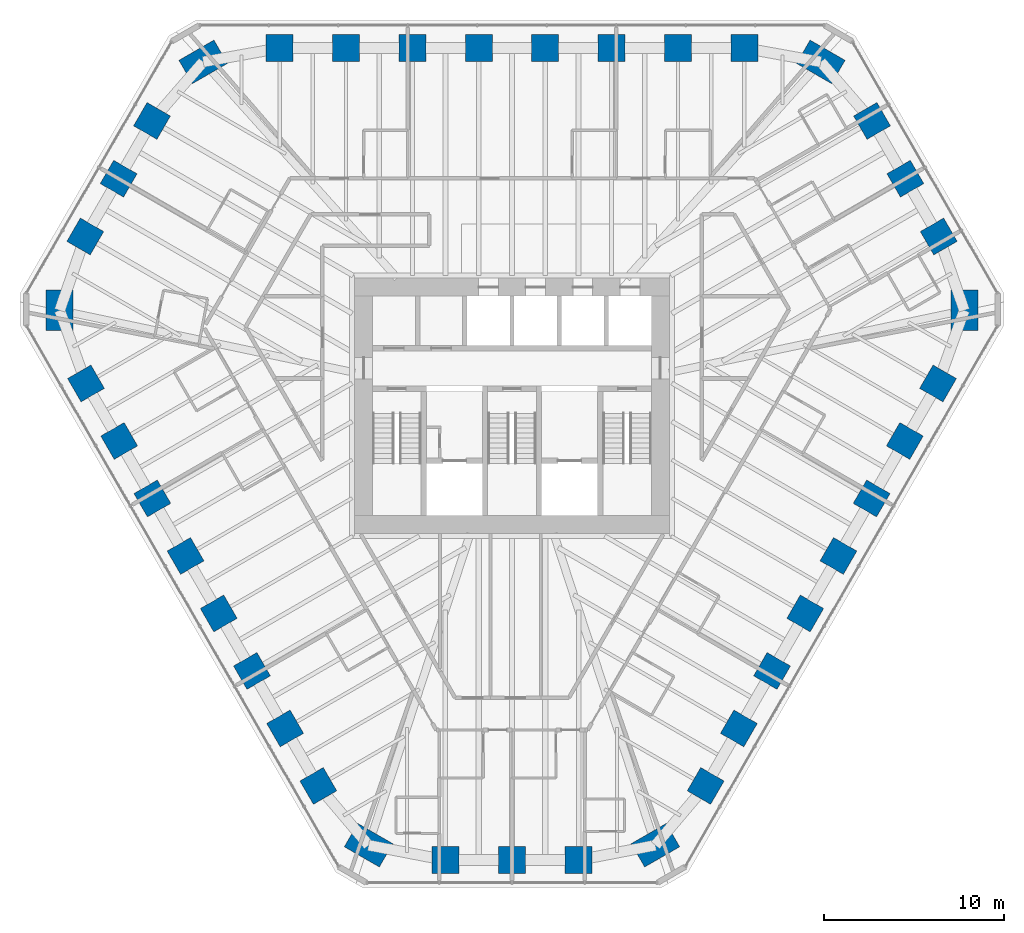
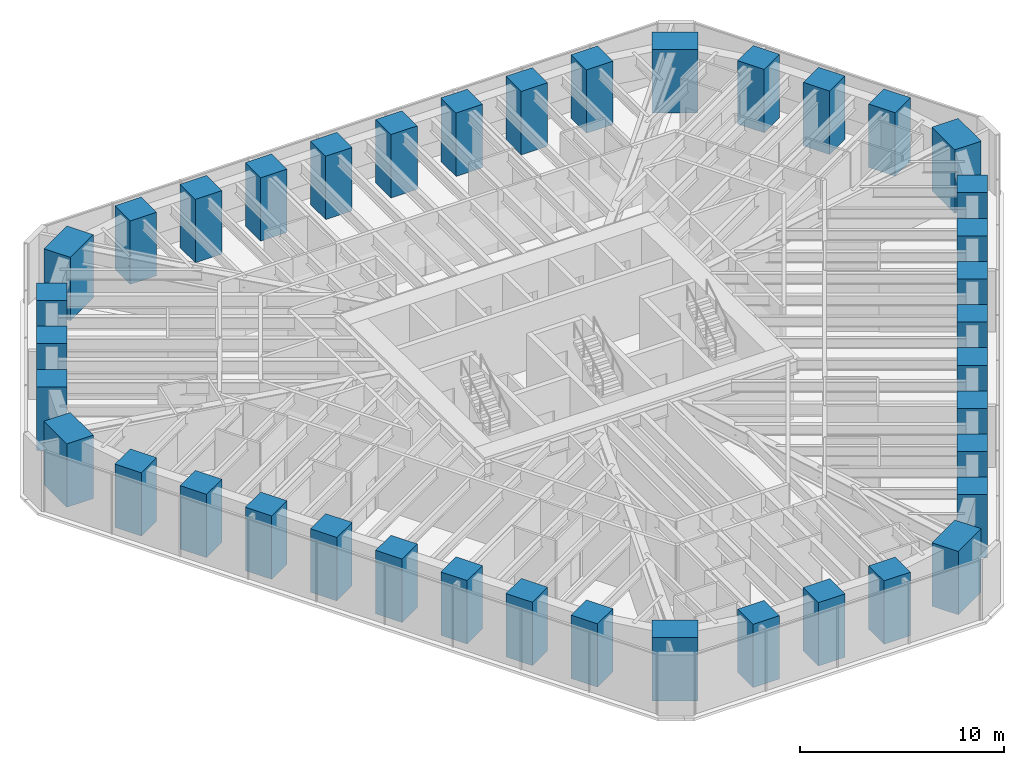
# One storey, part 1 of 17: 39 columns.
"""IFC4 building model written with IfcOpenShell, lengths in metres."""

from ifc_helpers import new_model, si_unit, direction, frame, origin, origin_2d, place, context, subcontext, project, spatial, rectangle, extrude, material, material_profile, profile_set, type_object, element, save


model = new_model("IFC4")

# Units and contexts
model_context = context("Model", 3, precision=1e-05, world=origin(), true_north=direction((0.0, 1.0)))
body_context = subcontext(model_context, "Body", "Model", "MODEL_VIEW")
ifc_project = project(units=[si_unit("LENGTHUNIT", "METRE"), si_unit("AREAUNIT", "SQUARE_METRE"), si_unit("VOLUMEUNIT", "CUBIC_METRE"), si_unit("PLANEANGLEUNIT", "RADIAN"), si_unit("MASSUNIT", "GRAM", prefix="KILO")], contexts=[model_context])

# Site, building, storey
site_placement = place(None, origin())
site = spatial("IfcSite", under=ifc_project, at=site_placement, CompositionType="ELEMENT")
building_placement = place(site_placement, origin())
building = spatial("IfcBuilding", under=site, at=building_placement, Name="Sandreach Pilgrim Tower", CompositionType="ELEMENT")
storey_placement = place(building_placement, frame((0.0, 0.0, 221.199951171875)))
storey = spatial("IfcBuildingStorey", under=building, at=storey_placement, Name="L55", CompositionType="ELEMENT", Elevation=221.199951171875)

# Columns
ifc_material_1 = material(Name="Concrete 10000 psi", Category="concrete")
ifc_material_profile_1 = material_profile(ifc_material_1, rectangle(XDim=1.5, YDim=1.5, at=origin_2d()), Name="RC1500X1500")
ifc_profile_set_1 = profile_set([ifc_material_profile_1], Name="Concrete 10000 psi")
column_type_1 = type_object("IfcColumnType", Name="Tube column RC1500X1500", PredefinedType="COLUMN", material=ifc_profile_set_1)
for number, where, z_axis, x_axis, name in (
    (1, (-12.923828125, 19.900146484375, 0.0), (0.0, 0.0, 1.0), (0.0, 1.0, 0.0), "COL L55 T01"),
    (2, (-9.231201171875, 19.900146484375, 0.0), (0.0, 0.0, 1.0), (0.0, 1.0, 0.0), "COL L55 T02"),
    (3, (-5.538818359375, 19.900146484375, 0.0), (0.0, 0.0, 1.0), (0.0, 1.0, 0.0), "COL L55 T03"),
    (4, (-1.84619140625, 19.900146484375, 0.0), (0.0, 0.0, 1.0), (0.0, 1.0, 0.0), "COL L55 T04"),
    (5, (1.84619140625, 19.900146484375, 0.0), (0.0, 0.0, 1.0), (0.0, 1.0, 0.0), "COL L55 T05"),
    (6, (5.538818359375, 19.900146484375, 0.0), (0.0, 0.0, 1.0), (0.0, 1.0, 0.0), "COL L55 T06"),
    (7, (9.231201171875, 19.900146484375, 0.0), (0.0, 0.0, 1.0), (0.0, 1.0, 0.0), "COL L55 T07"),
    (8, (12.923828125, 19.900146484375, 0.0), (0.0, 0.0, 1.0), (0.0, 1.0, 0.0), "COL L55 T08"),
    (9, (20.025146484375, 15.845947265625, 0.0), (0.0, 0.0, 1.0), (0.866025403784, 0.5, 0.0), "COL L55 T10"),
    (10, (21.88037109375, 12.632568359375, 0.0), (0.0, 0.0, 1.0), (0.866025403784, 0.5, 0.0), "COL L55 T11"),
    (11, (23.7353515625, 9.419189453125, 0.0), (0.0, 0.0, 1.0), (0.866025403784, 0.5, 0.0), "COL L55 T12"),
    (12, (23.69580078125, 1.2421875, 0.0), (0.0, 0.0, 1.0), (0.866025403784, -0.5, 0.0), "COL L55 T14"),
    (13, (21.849609375, -1.95556640625, 0.0), (0.0, 0.0, 1.0), (0.866025403784, -0.5, 0.0), "COL L55 T15"),
    (14, (20.00341796875, -5.1533203125, 0.0), (0.0, 0.0, 1.0), (0.866025403784, -0.5, 0.0), "COL L55 T16"),
    (15, (18.1572265625, -8.35107421875, 0.0), (0.0, 0.0, 1.0), (0.866025403784, -0.5, 0.0), "COL L55 T17"),
    (16, (16.310791015625, -11.548828125, 0.0), (0.0, 0.0, 1.0), (0.866025403784, -0.5, 0.0), "COL L55 T18"),
    (17, (14.464599609375, -14.746826171875, 0.0), (0.0, 0.0, 1.0), (0.866025403784, -0.5, 0.0), "COL L55 T19"),
    (18, (12.618408203125, -17.944580078125, 0.0), (0.0, 0.0, 1.0), (0.866025403784, -0.5, 0.0), "COL L55 T20"),
    (19, (10.772216796875, -21.142333984375, 0.0), (0.0, 0.0, 1.0), (0.866025403784, -0.5, 0.0), "COL L55 T21"),
    (20, (3.71044921875, -25.26513671875, 0.0), (0.0, 0.0, 1.0), (0.0, -1.0, 0.0), "COL L55 T23"),
    (21, (0.0, -25.26513671875, 0.0), (0.0, 0.0, 1.0), (0.0, -1.0, 0.0), "COL L55 T24"),
    (22, (-3.71044921875, -25.26513671875, 0.0), (0.0, 0.0, 1.0), (0.0, -1.0, 0.0), "COL L55 T25"),
    (23, (-10.772216796875, -21.142333984375, 0.0), (0.0, 0.0, 1.0), (-0.866025403784, -0.5, 0.0), "COL L55 T27"),
    (24, (-12.618408203125, -17.944580078125, 0.0), (0.0, 0.0, 1.0), (-0.866025403784, -0.5, 0.0), "COL L55 T28"),
    (25, (-14.464599609375, -14.746826171875, 0.0), (0.0, 0.0, 1.0), (-0.866025403784, -0.5, 0.0), "COL L55 T29"),
    (26, (-16.310791015625, -11.548828125, 0.0), (0.0, 0.0, 1.0), (-0.866025403784, -0.5, 0.0), "COL L55 T30"),
    (27, (-18.1572265625, -8.35107421875, 0.0), (0.0, 0.0, 1.0), (-0.866025403784, -0.5, 0.0), "COL L55 T31"),
    (28, (-20.00341796875, -5.1533203125, 0.0), (0.0, 0.0, 1.0), (-0.866025403784, -0.5, 0.0), "COL L55 T32"),
    (29, (-21.849609375, -1.95556640625, 0.0), (0.0, 0.0, 1.0), (-0.866025403784, -0.5, 0.0), "COL L55 T33"),
    (30, (-23.69580078125, 1.2421875, 0.0), (0.0, 0.0, 1.0), (-0.866025403784, -0.5, 0.0), "COL L55 T34"),
    (31, (-23.7353515625, 9.419189453125, 0.0), (0.0, 0.0, 1.0), (-0.866025403784, 0.5, 0.0), "COL L55 T36"),
    (32, (-21.88037109375, 12.632568359375, 0.0), (0.0, 0.0, 1.0), (-0.866025403784, 0.5, 0.0), "COL L55 T37"),
    (33, (-20.025146484375, 15.845947265625, 0.0), (0.0, 0.0, 1.0), (-0.866025403784, 0.5, 0.0), "COL L55 T38"),
):
    element("IfcColumn", number, at=place(storey_placement, frame(where, z_axis=z_axis, x_axis=x_axis)), inside=storey, type_object=column_type_1, Name=name, PredefinedType="COLUMN", context=body_context, shape_type="SweptSolid", body=[
        extrude(rectangle(XDim=1.5, YDim=1.5, at=origin_2d()), origin(), (0.0, 0.0, 1.0), 3.800048828125),
    ])
ifc_material_2 = material(Name="Concrete 10000 psi", Category="concrete")
ifc_material_profile_2 = material_profile(ifc_material_2, rectangle(XDim=1.5, YDim=2.25, at=origin_2d()), Name="RC1500X2250")
ifc_profile_set_2 = profile_set([ifc_material_profile_2], Name="Concrete 10000 psi")
column_type_2 = type_object("IfcColumnType", Name="Tube corner pier RC1500X2250", PredefinedType="COLUMN", material=ifc_profile_set_2)
for number, where, z_axis, x_axis, name in (
    (34, (17.177978515625, 19.130615234375, 0.0), (0.0, 0.0, 1.0), (0.5, 0.866025403784, 0.0), "COL L55 T09"),
    (35, (25.156494140625, 5.311279296875, 0.0), (0.0, 0.0, 1.0), (1.0, 0.0, 0.0), "COL L55 T13"),
    (36, (7.978515625, -24.44189453125, 0.0), (0.0, 0.0, 1.0), (0.5, -0.866025403784, 0.0), "COL L55 T22"),
    (37, (-7.978515625, -24.44189453125, 0.0), (0.0, 0.0, 1.0), (-0.5, -0.866025403784, 0.0), "COL L55 T26"),
    (38, (-25.156494140625, 5.311279296875, 0.0), (0.0, 0.0, 1.0), (-1.0, 0.0, 0.0), "COL L55 T35"),
    (39, (-17.177978515625, 19.130615234375, 0.0), (0.0, 0.0, 1.0), (-0.5, 0.866025403784, 0.0), "COL L55 T39"),
):
    element("IfcColumn", number, at=place(storey_placement, frame(where, z_axis=z_axis, x_axis=x_axis)), inside=storey, type_object=column_type_2, Name=name, PredefinedType="COLUMN", context=body_context, shape_type="SweptSolid", body=[
        extrude(rectangle(XDim=1.5, YDim=2.25, at=origin_2d()), origin(), (0.0, 0.0, 1.0), 3.800048828125),
    ])

save(model, "model.ifc")
